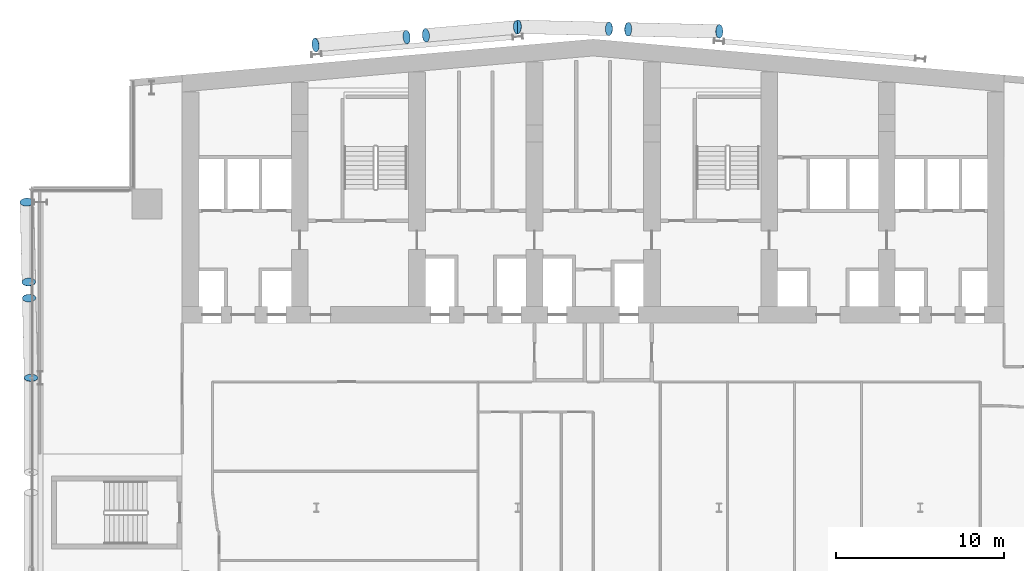
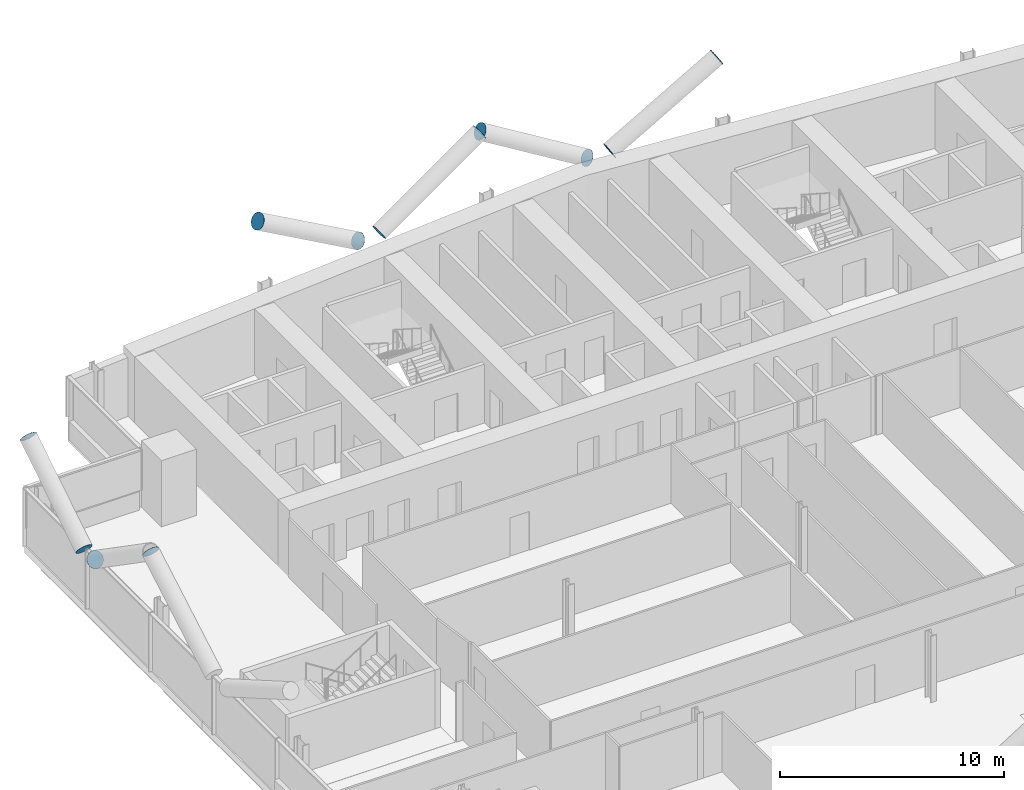
# One storey, part 22 of 27: 12 discrete accessories.
"""IFC4 building model written with IfcOpenShell, lengths in metres."""

from ifc_helpers import new_model, si_unit, direction, frame, origin, origin_2d, place, context, subcontext, project, spatial, circle, extrude, material, material_profile, profile_set, type_object, element, save


model = new_model("IFC4")

# Units and contexts
model_context = context("Model", 3, precision=1e-05, world=origin(), true_north=direction((0.0, 1.0)))
body_context = subcontext(model_context, "Body", "Model", "MODEL_VIEW")
ifc_project = project(units=[si_unit("LENGTHUNIT", "METRE"), si_unit("AREAUNIT", "SQUARE_METRE"), si_unit("VOLUMEUNIT", "CUBIC_METRE"), si_unit("PLANEANGLEUNIT", "RADIAN"), si_unit("MASSUNIT", "GRAM", prefix="KILO")], contexts=[model_context])

# Site, building, storey
site_placement = place(None, origin())
site = spatial("IfcSite", under=ifc_project, at=site_placement, CompositionType="ELEMENT")
building_placement = place(site_placement, origin())
building = spatial("IfcBuilding", under=site, at=building_placement, Name="Wharfspan Tower", CompositionType="ELEMENT")
storey_placement = place(building_placement, frame((0.0, 0.0, 139.899902)))
storey = spatial("IfcBuildingStorey", under=building, at=storey_placement, Name="L33", CompositionType="ELEMENT", Elevation=139.899902)

# Discrete accessories
ifc_material = material(Name="Steel S460NH", Category="steel")
ifc_material_profile = material_profile(ifc_material, circle(Radius=0.406494, at=origin_2d()))
ifc_profile_set = profile_set([ifc_material_profile], Name="Steel S460NH")
discrete_accessory_type = type_object("IfcDiscreteAccessoryType", Name="End plate CHS 813x40", PredefinedType="BRACKET", material=ifc_profile_set)
for number, where, z_axis, x_axis, name in (
    (1, (6.985107, 30.733398, 6.5), (0.0, 0.857493, 0.514496), (-1.0, 0.0, 0.0), "End plate CHS 813x40"),
    (2, (6.87085, 35.494385, 3.227539), (0.024354, -0.828038, 0.560143), (0.999568, 0.029399, 0.0), "End plate CHS 813x40"),
):
    element("IfcDiscreteAccessory", number, at=place(storey_placement, frame(where, z_axis=z_axis, x_axis=x_axis)), inside=storey, type_object=discrete_accessory_type, Name=name, PredefinedType="BRACKET", context=body_context, shape_type="SweptSolid", body=[
        extrude(circle(Radius=0.406494, at=origin_2d()), origin(), (0.0, 0.0, 1.0), 0.01001),
    ])
discrete_accessory_1_placement = place(storey_placement, frame((6.848145, 36.447021, 3.227539), z_axis=(-0.024853, 0.820145, 0.571616), x_axis=(-0.999542, -0.03029, 1e-06)))
element("IfcDiscreteAccessory", 3, at=discrete_accessory_1_placement, inside=storey, type_object=discrete_accessory_type, Name="End plate CHS 813x40", PredefinedType="BRACKET", context=body_context, shape_type="SweptSolid", body=[
    extrude(circle(Radius=0.406494, at=origin_2d()), origin(), (0.0, 0.0, 1.0), 0.009766),
])
discrete_accessory_2_placement = place(storey_placement, frame((6.734131, 41.208008, 6.5), z_axis=(-0.024022, 0.816732, 0.576517), x_axis=(-0.99957, -0.029399, -1e-06)))
element("IfcDiscreteAccessory", 4, at=discrete_accessory_2_placement, inside=storey, type_object=discrete_accessory_type, Name="End plate CHS 813x40", PredefinedType="BRACKET", context=body_context, shape_type="SweptSolid", body=[
    extrude(circle(Radius=0.406494, at=origin_2d()), origin(), (0.0, 0.0, 1.0), 0.010254),
])
for number, where, z_axis, x_axis, name in (
    (5, (42.581787, 51.515137, 3.241455), (0.857236, -0.024492, 0.514341), (0.028558, 0.999591, 2e-06), "End plate CHS 813x40"),
    (6, (48.012695, 51.390381, 6.5), (0.857493, 0.0, 0.514496), (0.0, 1.0, 0.0), "End plate CHS 813x40"),
    (7, (41.443604, 51.54126, 3.241455), (-0.857236, 0.024492, 0.514341), (-0.028558, -0.999591, 2e-06), "End plate CHS 813x40"),
    (8, (36.012939, 51.665771, 6.5), (-0.857236, 0.024492, 0.514341), (-0.028558, -0.999591, 2e-06), "End plate CHS 813x40"),
    (9, (30.52124, 51.156006, 3.241943), (0.855186, 0.073302, 0.513112), (-0.085402, 0.996345, 1e-06), "End plate CHS 813x40"),
    (10, (35.95166, 51.631104, 6.5), (0.855186, 0.073302, 0.513112), (-0.085402, 0.996345, 1e-06), "End plate CHS 813x40"),
    (11, (29.381836, 51.056396, 3.241943), (-0.853405, -0.097532, 0.512043), (0.113547, -0.993531, 1e-06), "End plate CHS 813x40"),
):
    element("IfcDiscreteAccessory", number, at=place(storey_placement, frame(where, z_axis=z_axis, x_axis=x_axis)), inside=storey, type_object=discrete_accessory_type, Name=name, PredefinedType="BRACKET", context=body_context, shape_type="SweptSolid", body=[
        extrude(circle(Radius=0.406494, at=origin_2d()), origin(), (0.0, 0.0, 1.0), 0.01001),
    ])
discrete_accessory_3_placement = place(storey_placement, frame((23.95166, 50.581299, 6.5), z_axis=(-0.859828, -0.095536, 0.501566), x_axis=(0.11043, -0.99388, -1e-06)))
element("IfcDiscreteAccessory", 12, at=discrete_accessory_3_placement, inside=storey, type_object=discrete_accessory_type, Name="End plate CHS 813x40", PredefinedType="BRACKET", context=body_context, shape_type="SweptSolid", body=[
    extrude(circle(Radius=0.406494, at=origin_2d()), origin(), (0.0, 0.0, 1.0), 0.010254),
])

save(model, "model.ifc")
